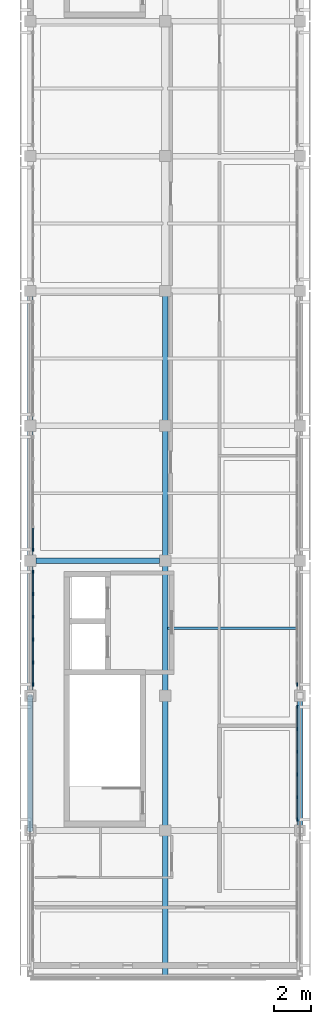
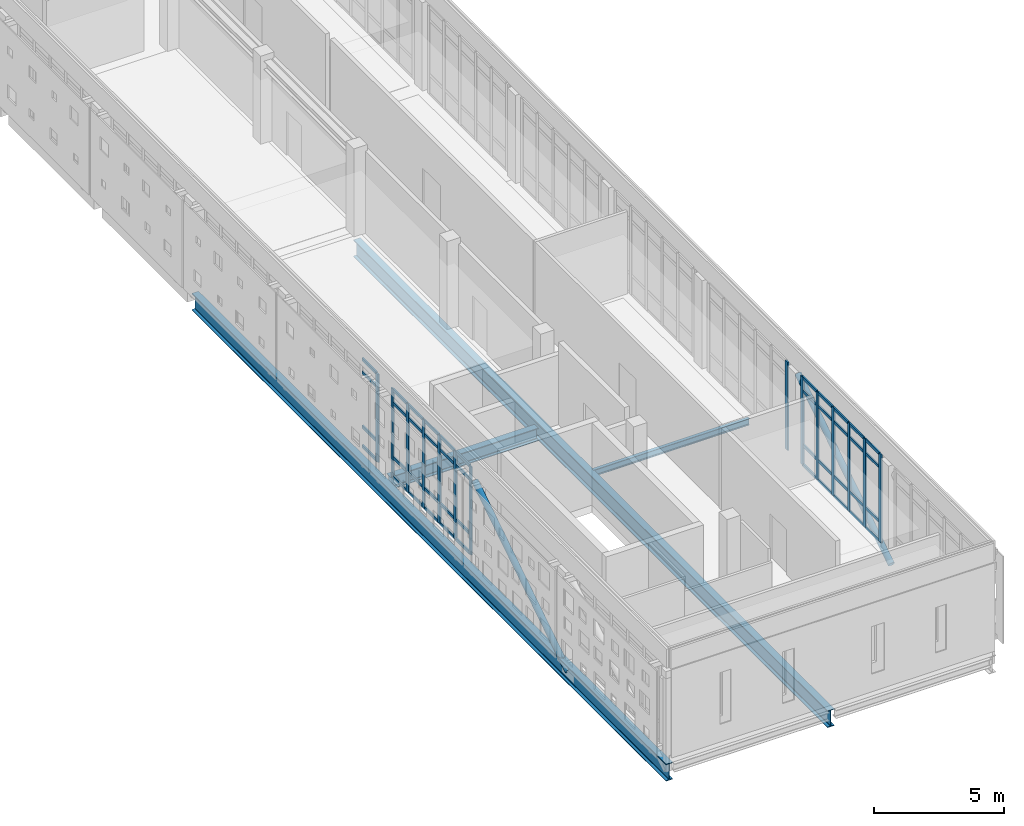
# One storey, part 3 of 19: 60 members, 4 beams, 4 elements without a shape of their own.
"""IFC4 building model written with IfcOpenShell, lengths in metres."""

from ifc_helpers import new_model, si_unit, direction, frame, origin, origin_2d, place, context, subcontext, project, spatial, rectangle, hollow_circle, i_section, extrude, material, layer, layer_set, material_profile, profile_set, type_object, element, aggregate, save


model = new_model("IFC4")

# Units and contexts
model_context = context("Model", 3, precision=1e-05, world=origin(), true_north=direction((0.0, 1.0)))
body_context = subcontext(model_context, "Body", "Model", "MODEL_VIEW")
ifc_project = project(units=[si_unit("LENGTHUNIT", "METRE"), si_unit("AREAUNIT", "SQUARE_METRE"), si_unit("VOLUMEUNIT", "CUBIC_METRE"), si_unit("PLANEANGLEUNIT", "RADIAN"), si_unit("MASSUNIT", "GRAM", prefix="KILO")], contexts=[model_context])

# Site, building, storey
site_placement = place(None, origin())
site = spatial("IfcSite", under=ifc_project, at=site_placement, CompositionType="ELEMENT")
building_placement = place(site_placement, origin())
building = spatial("IfcBuilding", under=site, at=building_placement, Name="Valkovuoma Quantum and Materials Research Institute", CompositionType="ELEMENT")
storey_placement = place(building_placement, frame((0.0, 0.0, 38.080078125)))
storey = spatial("IfcBuildingStorey", under=building, at=storey_placement, Name="L09", CompositionType="ELEMENT", Elevation=38.080078125)

# Beams
ifc_material_1 = material(Name="Steel S355J2", Category="steel")
ifc_material_profile_1 = material_profile(ifc_material_1, i_section(OverallWidth=0.300048828125, OverallDepth=0.60009765625, WebThickness=0.015380859375, FlangeThickness=0.030029296875, FilletRadius=0.027099609375, at=origin_2d()), Name="Steel S355J2")
ifc_profile_set_1 = profile_set([ifc_material_profile_1], Name="Steel S355J2")
beam_type_1 = type_object("IfcBeamType", Name="Beam-B-HEB600", PredefinedType="BEAM", material=ifc_profile_set_1)
beam_1_placement = place(storey_placement, frame((0.300048828125, 43.199951171875, -0.650146484375), z_axis=(1.0, 0.0, 0.0), x_axis=(0.0, 1.0, 0.0)))
element("IfcBeam", 1, at=beam_1_placement, inside=storey, type_object=beam_type_1, Name="L09 beam X-2574", PredefinedType="BEAM", context=body_context, shape_type="SweptSolid", body=[
    extrude(i_section(OverallWidth=0.300048828125, OverallDepth=0.60009765625, WebThickness=0.015380859375, FlangeThickness=0.030029296875, FilletRadius=0.027099609375, at=origin_2d()), origin(), (0.0, 0.0, 1.0), 6.599853515625),
])
ifc_material_2 = material(Name="Steel S355J2", Category="steel")
ifc_material_profile_2 = material_profile(ifc_material_2, i_section(OverallWidth=0.300048828125, OverallDepth=0.800048828125, WebThickness=0.017578125, FlangeThickness=0.032958984375, FilletRadius=0.030029296875, at=origin_2d()), Name="Steel S355J2")
ifc_profile_set_2 = profile_set([ifc_material_profile_2], Name="Steel S355J2")
beam_type_2 = type_object("IfcBeamType", Name="Beam-B-HEB800", PredefinedType="BEAM", material=ifc_profile_set_2)
for number, where, z_axis, x_axis, name in (
    (2, (0.0, 21.0, -0.75), (0.0, 1.0, 0.0), (-1.0, 0.0, 0.0), "L09 cantilever girder X0"),
    (3, (7.199951171875, 21.0, -0.75), (0.0, 1.0, 0.0), (-1.0, 0.0, 0.0), "L09 cantilever girder X1"),
):
    element("IfcBeam", number, at=place(storey_placement, frame(where, z_axis=z_axis, x_axis=x_axis)), inside=storey, type_object=beam_type_2, Name=name, PredefinedType="BEAM", context=body_context, shape_type="SweptSolid", body=[
        extrude(i_section(OverallWidth=0.300048828125, OverallDepth=0.800048828125, WebThickness=0.017578125, FlangeThickness=0.032958984375, FilletRadius=0.030029296875, at=origin_2d()), origin(), (0.0, 0.0, 1.0), 36.60009765625),
    ])
ifc_material_3 = material(Name="Steel S355J2", Category="steel")
ifc_material_profile_3 = material_profile(ifc_material_3, i_section(OverallWidth=0.14990234375, OverallDepth=0.300048828125, WebThickness=0.007080078125, FlangeThickness=0.0107421875, FilletRadius=0.014892578125, at=origin_2d()), Name="Steel S355J2")
ifc_profile_set_3 = profile_set([ifc_material_profile_3], Name="Steel S355J2")
beam_type_3 = type_object("IfcBeamType", Name="Beam-B-JST300", PredefinedType="JOIST", material=ifc_profile_set_3)
beam_2_placement = place(storey_placement, frame((7.320068359375, 39.60009765625, -0.5), z_axis=(1.0, 0.0, 0.0), x_axis=(0.0, 1.0, 0.0)))
element("IfcBeam", 4, at=beam_2_placement, inside=storey, type_object=beam_type_3, Name="L09 floor joist 2601", PredefinedType="JOIST", context=body_context, shape_type="SweptSolid", body=[
    extrude(i_section(OverallWidth=0.14990234375, OverallDepth=0.300048828125, WebThickness=0.007080078125, FlangeThickness=0.0107421875, FilletRadius=0.014892578125, at=origin_2d()), origin(), (0.0, 0.0, 1.0), 6.9599609375),
])

# Curtain wall, members
ifc_material_4 = material(Name="Thermally broken aluminium and triple low-E glazing", Category="aluminium")
ifc_layer = layer(ifc_material_4, 0.219970703125)
ifc_layer_set = layer_set([ifc_layer], Name="Thermally broken aluminium and triple low-E glazing")
curtain_wall_type = type_object("IfcCurtainWallType", Name="CW-CW-01", PredefinedType="NOTDEFINED", material=ifc_layer_set)
curtain_wall_1_placement = place(storey_placement, origin())
curtain_wall_1 = element("IfcCurtainWall", 5, at=curtain_wall_1_placement, inside=storey, type_object=curtain_wall_type, Name="L09 curtain wall 129", PredefinedType="NOTDEFINED")
ifc_material_5 = material(Name="Anodised aluminium 6060-T66", Category="aluminium")
ifc_material_profile_4 = material_profile(ifc_material_5, rectangle(XDim=0.06494140625, YDim=0.179931640625, at=origin_2d()), Name="Anodised aluminium 6060-T66")
ifc_profile_set_4 = profile_set([ifc_material_profile_4], Name="Anodised aluminium 6060-T66")
member_type_1 = type_object("IfcMemberType", Name="CWMull-CWM-01", PredefinedType="MULLION", material=ifc_profile_set_4)
member_1_placement = place(storey_placement, frame((14.25, 29.3896484375, 0.0), z_axis=(0.0, 0.0, 1.0), x_axis=(-1.0, 0.0, 0.0)))
member_1 = element("IfcMember", 6, at=member_1_placement, type_object=member_type_1, Name="CW-01 mullion 1", PredefinedType="MULLION", context=body_context, shape_type="SweptSolid", body=[
    extrude(rectangle(XDim=0.06494140625, YDim=0.179931640625, at=origin_2d()), origin(), (0.0, 0.0, 1.0), 4.159912109375),
])
member_2_placement = place(storey_placement, frame((14.25, 30.57421875, 0.0), z_axis=(0.0, 0.0, 1.0), x_axis=(-1.0, 0.0, 0.0)))
member_2 = element("IfcMember", 7, at=member_2_placement, type_object=member_type_1, Name="CW-01 mullion 2", PredefinedType="MULLION", context=body_context, shape_type="SweptSolid", body=[
    extrude(rectangle(XDim=0.06494140625, YDim=0.179931640625, at=origin_2d()), origin(), (0.0, 0.0, 1.0), 4.159912109375),
])
member_3_placement = place(storey_placement, frame((14.25, 31.79150390625, 0.0), z_axis=(0.0, 0.0, 1.0), x_axis=(-1.0, 0.0, 0.0)))
member_3 = element("IfcMember", 8, at=member_3_placement, type_object=member_type_1, Name="CW-01 mullion 3", PredefinedType="MULLION", context=body_context, shape_type="SweptSolid", body=[
    extrude(rectangle(XDim=0.06494140625, YDim=0.179931640625, at=origin_2d()), origin(), (0.0, 0.0, 1.0), 4.159912109375),
])
member_4_placement = place(storey_placement, frame((14.25, 33.008544921875, 0.0), z_axis=(0.0, 0.0, 1.0), x_axis=(-1.0, 0.0, 0.0)))
member_4 = element("IfcMember", 9, at=member_4_placement, type_object=member_type_1, Name="CW-01 mullion 4", PredefinedType="MULLION", context=body_context, shape_type="SweptSolid", body=[
    extrude(rectangle(XDim=0.06494140625, YDim=0.179931640625, at=origin_2d()), origin(), (0.0, 0.0, 1.0), 4.159912109375),
])
member_5_placement = place(storey_placement, frame((14.25, 34.225830078125, 0.0), z_axis=(0.0, 0.0, 1.0), x_axis=(-1.0, 0.0, 0.0)))
member_5 = element("IfcMember", 10, at=member_5_placement, type_object=member_type_1, Name="CW-01 mullion 5", PredefinedType="MULLION", context=body_context, shape_type="SweptSolid", body=[
    extrude(rectangle(XDim=0.06494140625, YDim=0.179931640625, at=origin_2d()), origin(), (0.0, 0.0, 1.0), 4.159912109375),
])
member_6_placement = place(storey_placement, frame((14.25, 35.410400390625, 0.0), z_axis=(0.0, 0.0, 1.0), x_axis=(-1.0, 0.0, 0.0)))
member_6 = element("IfcMember", 11, at=member_6_placement, type_object=member_type_1, Name="CW-01 mullion 6", PredefinedType="MULLION", context=body_context, shape_type="SweptSolid", body=[
    extrude(rectangle(XDim=0.06494140625, YDim=0.179931640625, at=origin_2d()), origin(), (0.0, 0.0, 1.0), 4.159912109375),
])

curtain_wall_2_placement = place(storey_placement, origin())
curtain_wall_2 = element("IfcCurtainWall", 12, at=curtain_wall_2_placement, inside=storey, type_object=curtain_wall_type, Name="L09 curtain wall 130", PredefinedType="NOTDEFINED")
member_7_placement = place(storey_placement, frame((0.14990234375, 36.589599609375, 0.0), z_axis=(0.0, 0.0, 1.0), x_axis=(-1.0, 0.0, 0.0)))
member_7 = element("IfcMember", 13, at=member_7_placement, type_object=member_type_1, Name="CW-01 mullion 1", PredefinedType="MULLION", context=body_context, shape_type="SweptSolid", body=[
    extrude(rectangle(XDim=0.06494140625, YDim=0.179931640625, at=origin_2d()), origin(), (0.0, 0.0, 1.0), 4.159912109375),
])
member_8_placement = place(storey_placement, frame((0.14990234375, 37.774169921875, 0.0), z_axis=(0.0, 0.0, 1.0), x_axis=(-1.0, 0.0, 0.0)))
member_8 = element("IfcMember", 14, at=member_8_placement, type_object=member_type_1, Name="CW-01 mullion 2", PredefinedType="MULLION", context=body_context, shape_type="SweptSolid", body=[
    extrude(rectangle(XDim=0.06494140625, YDim=0.179931640625, at=origin_2d()), origin(), (0.0, 0.0, 1.0), 4.159912109375),
])
member_9_placement = place(storey_placement, frame((0.14990234375, 38.991455078125, 0.0), z_axis=(0.0, 0.0, 1.0), x_axis=(-1.0, 0.0, 0.0)))
member_9 = element("IfcMember", 15, at=member_9_placement, type_object=member_type_1, Name="CW-01 mullion 3", PredefinedType="MULLION", context=body_context, shape_type="SweptSolid", body=[
    extrude(rectangle(XDim=0.06494140625, YDim=0.179931640625, at=origin_2d()), origin(), (0.0, 0.0, 1.0), 4.159912109375),
])
member_10_placement = place(storey_placement, frame((0.14990234375, 40.20849609375, 0.0), z_axis=(0.0, 0.0, 1.0), x_axis=(-1.0, 0.0, 0.0)))
member_10 = element("IfcMember", 16, at=member_10_placement, type_object=member_type_1, Name="CW-01 mullion 4", PredefinedType="MULLION", context=body_context, shape_type="SweptSolid", body=[
    extrude(rectangle(XDim=0.06494140625, YDim=0.179931640625, at=origin_2d()), origin(), (0.0, 0.0, 1.0), 4.159912109375),
])
member_11_placement = place(storey_placement, frame((0.14990234375, 41.42578125, 0.0), z_axis=(0.0, 0.0, 1.0), x_axis=(-1.0, 0.0, 0.0)))
member_11 = element("IfcMember", 17, at=member_11_placement, type_object=member_type_1, Name="CW-01 mullion 5", PredefinedType="MULLION", context=body_context, shape_type="SweptSolid", body=[
    extrude(rectangle(XDim=0.06494140625, YDim=0.179931640625, at=origin_2d()), origin(), (0.0, 0.0, 1.0), 4.159912109375),
])
member_12_placement = place(storey_placement, frame((0.14990234375, 42.6103515625, 0.0), z_axis=(0.0, 0.0, 1.0), x_axis=(-1.0, 0.0, 0.0)))
member_12 = element("IfcMember", 18, at=member_12_placement, type_object=member_type_1, Name="CW-01 mullion 6", PredefinedType="MULLION", context=body_context, shape_type="SweptSolid", body=[
    extrude(rectangle(XDim=0.06494140625, YDim=0.179931640625, at=origin_2d()), origin(), (0.0, 0.0, 1.0), 4.159912109375),
])

# Curtain wall, member
curtain_wall_3_placement = place(storey_placement, origin())
curtain_wall_3 = element("IfcCurtainWall", 19, at=curtain_wall_3_placement, inside=storey, type_object=curtain_wall_type, Name="L09 curtain wall 131", PredefinedType="NOTDEFINED")
member_13_placement = place(storey_placement, frame((14.25, 36.589599609375, 0.0), z_axis=(0.0, 0.0, 1.0), x_axis=(-1.0, 0.0, 0.0)))
member_13 = element("IfcMember", 20, at=member_13_placement, type_object=member_type_1, Name="CW-01 mullion 1", PredefinedType="MULLION", context=body_context, shape_type="SweptSolid", body=[
    extrude(rectangle(XDim=0.06494140625, YDim=0.179931640625, at=origin_2d()), origin(), (0.0, 0.0, 1.0), 4.159912109375),
])
aggregate(curtain_wall_3, [member_13])

curtain_wall_4_placement = place(storey_placement, origin())
curtain_wall_4 = element("IfcCurtainWall", 21, at=curtain_wall_4_placement, inside=storey, type_object=curtain_wall_type, Name="L09 curtain wall 132", PredefinedType="NOTDEFINED")
member_14_placement = place(storey_placement, frame((0.14990234375, 43.78955078125, 0.0), z_axis=(0.0, 0.0, 1.0), x_axis=(-1.0, 0.0, 0.0)))
member_14 = element("IfcMember", 22, at=member_14_placement, type_object=member_type_1, Name="CW-01 mullion 1", PredefinedType="MULLION", context=body_context, shape_type="SweptSolid", body=[
    extrude(rectangle(XDim=0.06494140625, YDim=0.179931640625, at=origin_2d()), origin(), (0.0, 0.0, 1.0), 4.159912109375),
])

# Member
ifc_material_6 = material(Name="Anodised aluminium 6060-T66", Category="aluminium")
ifc_material_profile_5 = material_profile(ifc_material_6, rectangle(XDim=0.06494140625, YDim=0.139892578125, at=origin_2d()), Name="Anodised aluminium 6060-T66")
ifc_profile_set_5 = profile_set([ifc_material_profile_5], Name="Anodised aluminium 6060-T66")
member_type_2 = type_object("IfcMemberType", Name="CWTran-CWT-01", PredefinedType="USERDEFINED", material=ifc_profile_set_5)
member_15_placement = place(storey_placement, frame((14.25, 29.422119140625, 0.032470703125), z_axis=(0.0, 1.0, 0.0), x_axis=(-1.0, 0.0, 0.0)))
member_15 = element("IfcMember", 23, at=member_15_placement, type_object=member_type_2, Name="CW-01 transom 1.1", ObjectType="TRANSOM", PredefinedType="USERDEFINED", context=body_context, shape_type="SweptSolid", body=[
    extrude(rectangle(XDim=0.06494140625, YDim=0.139892578125, at=origin_2d()), origin(), (0.0, 0.0, 1.0), 1.11962890625),
])

member_16_placement = place(storey_placement, frame((14.25, 29.422119140625, 0.949951171875), z_axis=(0.0, 1.0, 0.0), x_axis=(-1.0, 0.0, 0.0)))
member_16 = element("IfcMember", 24, at=member_16_placement, type_object=member_type_2, Name="CW-01 transom 1.2", ObjectType="TRANSOM", PredefinedType="USERDEFINED", context=body_context, shape_type="SweptSolid", body=[
    extrude(rectangle(XDim=0.06494140625, YDim=0.139892578125, at=origin_2d()), origin(), (0.0, 0.0, 1.0), 1.11962890625),
])

member_17_placement = place(storey_placement, frame((14.25, 29.422119140625, 3.510009765625), z_axis=(0.0, 1.0, 0.0), x_axis=(-1.0, 0.0, 0.0)))
member_17 = element("IfcMember", 25, at=member_17_placement, type_object=member_type_2, Name="CW-01 transom 1.3", ObjectType="TRANSOM", PredefinedType="USERDEFINED", context=body_context, shape_type="SweptSolid", body=[
    extrude(rectangle(XDim=0.06494140625, YDim=0.139892578125, at=origin_2d()), origin(), (0.0, 0.0, 1.0), 1.11962890625),
])

member_18_placement = place(storey_placement, frame((14.25, 29.422119140625, 4.12744140625), z_axis=(0.0, 1.0, 0.0), x_axis=(-1.0, 0.0, 0.0)))
member_18 = element("IfcMember", 26, at=member_18_placement, type_object=member_type_2, Name="CW-01 transom 1.4", ObjectType="TRANSOM", PredefinedType="USERDEFINED", context=body_context, shape_type="SweptSolid", body=[
    extrude(rectangle(XDim=0.06494140625, YDim=0.139892578125, at=origin_2d()), origin(), (0.0, 0.0, 1.0), 1.11962890625),
])

member_19_placement = place(storey_placement, frame((14.25, 30.606689453125, 0.032470703125), z_axis=(0.0, 1.0, 0.0), x_axis=(-1.0, 0.0, 0.0)))
member_19 = element("IfcMember", 27, at=member_19_placement, type_object=member_type_2, Name="CW-01 transom 2.1", ObjectType="TRANSOM", PredefinedType="USERDEFINED", context=body_context, shape_type="SweptSolid", body=[
    extrude(rectangle(XDim=0.06494140625, YDim=0.139892578125, at=origin_2d()), origin(), (0.0, 0.0, 1.0), 1.15234375),
])

member_20_placement = place(storey_placement, frame((14.25, 30.606689453125, 0.949951171875), z_axis=(0.0, 1.0, 0.0), x_axis=(-1.0, 0.0, 0.0)))
member_20 = element("IfcMember", 28, at=member_20_placement, type_object=member_type_2, Name="CW-01 transom 2.2", ObjectType="TRANSOM", PredefinedType="USERDEFINED", context=body_context, shape_type="SweptSolid", body=[
    extrude(rectangle(XDim=0.06494140625, YDim=0.139892578125, at=origin_2d()), origin(), (0.0, 0.0, 1.0), 1.15234375),
])

member_21_placement = place(storey_placement, frame((14.25, 30.606689453125, 3.510009765625), z_axis=(0.0, 1.0, 0.0), x_axis=(-1.0, 0.0, 0.0)))
member_21 = element("IfcMember", 29, at=member_21_placement, type_object=member_type_2, Name="CW-01 transom 2.3", ObjectType="TRANSOM", PredefinedType="USERDEFINED", context=body_context, shape_type="SweptSolid", body=[
    extrude(rectangle(XDim=0.06494140625, YDim=0.139892578125, at=origin_2d()), origin(), (0.0, 0.0, 1.0), 1.15234375),
])

member_22_placement = place(storey_placement, frame((14.25, 30.606689453125, 4.12744140625), z_axis=(0.0, 1.0, 0.0), x_axis=(-1.0, 0.0, 0.0)))
member_22 = element("IfcMember", 30, at=member_22_placement, type_object=member_type_2, Name="CW-01 transom 2.4", ObjectType="TRANSOM", PredefinedType="USERDEFINED", context=body_context, shape_type="SweptSolid", body=[
    extrude(rectangle(XDim=0.06494140625, YDim=0.139892578125, at=origin_2d()), origin(), (0.0, 0.0, 1.0), 1.15234375),
])

member_23_placement = place(storey_placement, frame((14.25, 31.823974609375, 0.032470703125), z_axis=(0.0, 1.0, 0.0), x_axis=(-1.0, 0.0, 0.0)))
member_23 = element("IfcMember", 31, at=member_23_placement, type_object=member_type_2, Name="CW-01 transom 3.1", ObjectType="TRANSOM", PredefinedType="USERDEFINED", context=body_context, shape_type="SweptSolid", body=[
    extrude(rectangle(XDim=0.06494140625, YDim=0.139892578125, at=origin_2d()), origin(), (0.0, 0.0, 1.0), 1.152099609375),
])

member_24_placement = place(storey_placement, frame((14.25, 31.823974609375, 0.949951171875), z_axis=(0.0, 1.0, 0.0), x_axis=(-1.0, 0.0, 0.0)))
member_24 = element("IfcMember", 32, at=member_24_placement, type_object=member_type_2, Name="CW-01 transom 3.2", ObjectType="TRANSOM", PredefinedType="USERDEFINED", context=body_context, shape_type="SweptSolid", body=[
    extrude(rectangle(XDim=0.06494140625, YDim=0.139892578125, at=origin_2d()), origin(), (0.0, 0.0, 1.0), 1.152099609375),
])

member_25_placement = place(storey_placement, frame((14.25, 31.823974609375, 3.510009765625), z_axis=(0.0, 1.0, 0.0), x_axis=(-1.0, 0.0, 0.0)))
member_25 = element("IfcMember", 33, at=member_25_placement, type_object=member_type_2, Name="CW-01 transom 3.3", ObjectType="TRANSOM", PredefinedType="USERDEFINED", context=body_context, shape_type="SweptSolid", body=[
    extrude(rectangle(XDim=0.06494140625, YDim=0.139892578125, at=origin_2d()), origin(), (0.0, 0.0, 1.0), 1.152099609375),
])

member_26_placement = place(storey_placement, frame((14.25, 31.823974609375, 4.12744140625), z_axis=(0.0, 1.0, 0.0), x_axis=(-1.0, 0.0, 0.0)))
member_26 = element("IfcMember", 34, at=member_26_placement, type_object=member_type_2, Name="CW-01 transom 3.4", ObjectType="TRANSOM", PredefinedType="USERDEFINED", context=body_context, shape_type="SweptSolid", body=[
    extrude(rectangle(XDim=0.06494140625, YDim=0.139892578125, at=origin_2d()), origin(), (0.0, 0.0, 1.0), 1.152099609375),
])

member_27_placement = place(storey_placement, frame((14.25, 33.041015625, 0.032470703125), z_axis=(0.0, 1.0, 0.0), x_axis=(-1.0, 0.0, 0.0)))
member_27 = element("IfcMember", 35, at=member_27_placement, type_object=member_type_2, Name="CW-01 transom 4.1", ObjectType="TRANSOM", PredefinedType="USERDEFINED", context=body_context, shape_type="SweptSolid", body=[
    extrude(rectangle(XDim=0.06494140625, YDim=0.139892578125, at=origin_2d()), origin(), (0.0, 0.0, 1.0), 1.15234375),
])

member_28_placement = place(storey_placement, frame((14.25, 33.041015625, 0.949951171875), z_axis=(0.0, 1.0, 0.0), x_axis=(-1.0, 0.0, 0.0)))
member_28 = element("IfcMember", 36, at=member_28_placement, type_object=member_type_2, Name="CW-01 transom 4.2", ObjectType="TRANSOM", PredefinedType="USERDEFINED", context=body_context, shape_type="SweptSolid", body=[
    extrude(rectangle(XDim=0.06494140625, YDim=0.139892578125, at=origin_2d()), origin(), (0.0, 0.0, 1.0), 1.15234375),
])

member_29_placement = place(storey_placement, frame((14.25, 33.041015625, 3.510009765625), z_axis=(0.0, 1.0, 0.0), x_axis=(-1.0, 0.0, 0.0)))
member_29 = element("IfcMember", 37, at=member_29_placement, type_object=member_type_2, Name="CW-01 transom 4.3", ObjectType="TRANSOM", PredefinedType="USERDEFINED", context=body_context, shape_type="SweptSolid", body=[
    extrude(rectangle(XDim=0.06494140625, YDim=0.139892578125, at=origin_2d()), origin(), (0.0, 0.0, 1.0), 1.15234375),
])

member_30_placement = place(storey_placement, frame((14.25, 33.041015625, 4.12744140625), z_axis=(0.0, 1.0, 0.0), x_axis=(-1.0, 0.0, 0.0)))
member_30 = element("IfcMember", 38, at=member_30_placement, type_object=member_type_2, Name="CW-01 transom 4.4", ObjectType="TRANSOM", PredefinedType="USERDEFINED", context=body_context, shape_type="SweptSolid", body=[
    extrude(rectangle(XDim=0.06494140625, YDim=0.139892578125, at=origin_2d()), origin(), (0.0, 0.0, 1.0), 1.15234375),
])

member_31_placement = place(storey_placement, frame((14.25, 34.25830078125, 0.032470703125), z_axis=(0.0, 1.0, 0.0), x_axis=(-1.0, 0.0, 0.0)))
member_31 = element("IfcMember", 39, at=member_31_placement, type_object=member_type_2, Name="CW-01 transom 5.1", ObjectType="TRANSOM", PredefinedType="USERDEFINED", context=body_context, shape_type="SweptSolid", body=[
    extrude(rectangle(XDim=0.06494140625, YDim=0.139892578125, at=origin_2d()), origin(), (0.0, 0.0, 1.0), 1.11962890625),
])

member_32_placement = place(storey_placement, frame((14.25, 34.25830078125, 0.949951171875), z_axis=(0.0, 1.0, 0.0), x_axis=(-1.0, 0.0, 0.0)))
member_32 = element("IfcMember", 40, at=member_32_placement, type_object=member_type_2, Name="CW-01 transom 5.2", ObjectType="TRANSOM", PredefinedType="USERDEFINED", context=body_context, shape_type="SweptSolid", body=[
    extrude(rectangle(XDim=0.06494140625, YDim=0.139892578125, at=origin_2d()), origin(), (0.0, 0.0, 1.0), 1.11962890625),
])

member_33_placement = place(storey_placement, frame((14.25, 34.25830078125, 3.510009765625), z_axis=(0.0, 1.0, 0.0), x_axis=(-1.0, 0.0, 0.0)))
member_33 = element("IfcMember", 41, at=member_33_placement, type_object=member_type_2, Name="CW-01 transom 5.3", ObjectType="TRANSOM", PredefinedType="USERDEFINED", context=body_context, shape_type="SweptSolid", body=[
    extrude(rectangle(XDim=0.06494140625, YDim=0.139892578125, at=origin_2d()), origin(), (0.0, 0.0, 1.0), 1.11962890625),
])

member_34_placement = place(storey_placement, frame((14.25, 34.25830078125, 4.12744140625), z_axis=(0.0, 1.0, 0.0), x_axis=(-1.0, 0.0, 0.0)))
member_34 = element("IfcMember", 42, at=member_34_placement, type_object=member_type_2, Name="CW-01 transom 5.4", ObjectType="TRANSOM", PredefinedType="USERDEFINED", context=body_context, shape_type="SweptSolid", body=[
    extrude(rectangle(XDim=0.06494140625, YDim=0.139892578125, at=origin_2d()), origin(), (0.0, 0.0, 1.0), 1.11962890625),
])

aggregate(curtain_wall_1, [member_1, member_2, member_3, member_4, member_5, member_6, member_15, member_16, member_17, member_18, member_19, member_20, member_21, member_22, member_23, member_24, member_25, member_26, member_27, member_28, member_29, member_30, member_31, member_32, member_33, member_34])

member_35_placement = place(storey_placement, frame((0.14990234375, 36.6220703125, 0.032470703125), z_axis=(0.0, 1.0, 0.0), x_axis=(-1.0, 0.0, 0.0)))
member_35 = element("IfcMember", 43, at=member_35_placement, type_object=member_type_2, Name="CW-01 transom 1.1", ObjectType="TRANSOM", PredefinedType="USERDEFINED", context=body_context, shape_type="SweptSolid", body=[
    extrude(rectangle(XDim=0.06494140625, YDim=0.139892578125, at=origin_2d()), origin(), (0.0, 0.0, 1.0), 1.11962890625),
])

member_36_placement = place(storey_placement, frame((0.14990234375, 36.6220703125, 0.949951171875), z_axis=(0.0, 1.0, 0.0), x_axis=(-1.0, 0.0, 0.0)))
member_36 = element("IfcMember", 44, at=member_36_placement, type_object=member_type_2, Name="CW-01 transom 1.2", ObjectType="TRANSOM", PredefinedType="USERDEFINED", context=body_context, shape_type="SweptSolid", body=[
    extrude(rectangle(XDim=0.06494140625, YDim=0.139892578125, at=origin_2d()), origin(), (0.0, 0.0, 1.0), 1.11962890625),
])

member_37_placement = place(storey_placement, frame((0.14990234375, 36.6220703125, 3.510009765625), z_axis=(0.0, 1.0, 0.0), x_axis=(-1.0, 0.0, 0.0)))
member_37 = element("IfcMember", 45, at=member_37_placement, type_object=member_type_2, Name="CW-01 transom 1.3", ObjectType="TRANSOM", PredefinedType="USERDEFINED", context=body_context, shape_type="SweptSolid", body=[
    extrude(rectangle(XDim=0.06494140625, YDim=0.139892578125, at=origin_2d()), origin(), (0.0, 0.0, 1.0), 1.11962890625),
])

member_38_placement = place(storey_placement, frame((0.14990234375, 36.6220703125, 4.12744140625), z_axis=(0.0, 1.0, 0.0), x_axis=(-1.0, 0.0, 0.0)))
member_38 = element("IfcMember", 46, at=member_38_placement, type_object=member_type_2, Name="CW-01 transom 1.4", ObjectType="TRANSOM", PredefinedType="USERDEFINED", context=body_context, shape_type="SweptSolid", body=[
    extrude(rectangle(XDim=0.06494140625, YDim=0.139892578125, at=origin_2d()), origin(), (0.0, 0.0, 1.0), 1.11962890625),
])

member_39_placement = place(storey_placement, frame((0.14990234375, 37.806640625, 0.032470703125), z_axis=(0.0, 1.0, 0.0), x_axis=(-1.0, 0.0, 0.0)))
member_39 = element("IfcMember", 47, at=member_39_placement, type_object=member_type_2, Name="CW-01 transom 2.1", ObjectType="TRANSOM", PredefinedType="USERDEFINED", context=body_context, shape_type="SweptSolid", body=[
    extrude(rectangle(XDim=0.06494140625, YDim=0.139892578125, at=origin_2d()), origin(), (0.0, 0.0, 1.0), 1.15234375),
])

member_40_placement = place(storey_placement, frame((0.14990234375, 37.806640625, 0.949951171875), z_axis=(0.0, 1.0, 0.0), x_axis=(-1.0, 0.0, 0.0)))
member_40 = element("IfcMember", 48, at=member_40_placement, type_object=member_type_2, Name="CW-01 transom 2.2", ObjectType="TRANSOM", PredefinedType="USERDEFINED", context=body_context, shape_type="SweptSolid", body=[
    extrude(rectangle(XDim=0.06494140625, YDim=0.139892578125, at=origin_2d()), origin(), (0.0, 0.0, 1.0), 1.15234375),
])

member_41_placement = place(storey_placement, frame((0.14990234375, 37.806640625, 3.510009765625), z_axis=(0.0, 1.0, 0.0), x_axis=(-1.0, 0.0, 0.0)))
member_41 = element("IfcMember", 49, at=member_41_placement, type_object=member_type_2, Name="CW-01 transom 2.3", ObjectType="TRANSOM", PredefinedType="USERDEFINED", context=body_context, shape_type="SweptSolid", body=[
    extrude(rectangle(XDim=0.06494140625, YDim=0.139892578125, at=origin_2d()), origin(), (0.0, 0.0, 1.0), 1.15234375),
])

member_42_placement = place(storey_placement, frame((0.14990234375, 37.806640625, 4.12744140625), z_axis=(0.0, 1.0, 0.0), x_axis=(-1.0, 0.0, 0.0)))
member_42 = element("IfcMember", 50, at=member_42_placement, type_object=member_type_2, Name="CW-01 transom 2.4", ObjectType="TRANSOM", PredefinedType="USERDEFINED", context=body_context, shape_type="SweptSolid", body=[
    extrude(rectangle(XDim=0.06494140625, YDim=0.139892578125, at=origin_2d()), origin(), (0.0, 0.0, 1.0), 1.15234375),
])

member_43_placement = place(storey_placement, frame((0.14990234375, 39.02392578125, 0.032470703125), z_axis=(0.0, 1.0, 0.0), x_axis=(-1.0, 0.0, 0.0)))
member_43 = element("IfcMember", 51, at=member_43_placement, type_object=member_type_2, Name="CW-01 transom 3.1", ObjectType="TRANSOM", PredefinedType="USERDEFINED", context=body_context, shape_type="SweptSolid", body=[
    extrude(rectangle(XDim=0.06494140625, YDim=0.139892578125, at=origin_2d()), origin(), (0.0, 0.0, 1.0), 1.152099609375),
])

member_44_placement = place(storey_placement, frame((0.14990234375, 39.02392578125, 0.949951171875), z_axis=(0.0, 1.0, 0.0), x_axis=(-1.0, 0.0, 0.0)))
member_44 = element("IfcMember", 52, at=member_44_placement, type_object=member_type_2, Name="CW-01 transom 3.2", ObjectType="TRANSOM", PredefinedType="USERDEFINED", context=body_context, shape_type="SweptSolid", body=[
    extrude(rectangle(XDim=0.06494140625, YDim=0.139892578125, at=origin_2d()), origin(), (0.0, 0.0, 1.0), 1.152099609375),
])

member_45_placement = place(storey_placement, frame((0.14990234375, 39.02392578125, 3.510009765625), z_axis=(0.0, 1.0, 0.0), x_axis=(-1.0, 0.0, 0.0)))
member_45 = element("IfcMember", 53, at=member_45_placement, type_object=member_type_2, Name="CW-01 transom 3.3", ObjectType="TRANSOM", PredefinedType="USERDEFINED", context=body_context, shape_type="SweptSolid", body=[
    extrude(rectangle(XDim=0.06494140625, YDim=0.139892578125, at=origin_2d()), origin(), (0.0, 0.0, 1.0), 1.152099609375),
])

member_46_placement = place(storey_placement, frame((0.14990234375, 39.02392578125, 4.12744140625), z_axis=(0.0, 1.0, 0.0), x_axis=(-1.0, 0.0, 0.0)))
member_46 = element("IfcMember", 54, at=member_46_placement, type_object=member_type_2, Name="CW-01 transom 3.4", ObjectType="TRANSOM", PredefinedType="USERDEFINED", context=body_context, shape_type="SweptSolid", body=[
    extrude(rectangle(XDim=0.06494140625, YDim=0.139892578125, at=origin_2d()), origin(), (0.0, 0.0, 1.0), 1.152099609375),
])

member_47_placement = place(storey_placement, frame((0.14990234375, 40.240966796875, 0.032470703125), z_axis=(0.0, 1.0, 0.0), x_axis=(-1.0, 0.0, 0.0)))
member_47 = element("IfcMember", 55, at=member_47_placement, type_object=member_type_2, Name="CW-01 transom 4.1", ObjectType="TRANSOM", PredefinedType="USERDEFINED", context=body_context, shape_type="SweptSolid", body=[
    extrude(rectangle(XDim=0.06494140625, YDim=0.139892578125, at=origin_2d()), origin(), (0.0, 0.0, 1.0), 1.15234375),
])

member_48_placement = place(storey_placement, frame((0.14990234375, 40.240966796875, 0.949951171875), z_axis=(0.0, 1.0, 0.0), x_axis=(-1.0, 0.0, 0.0)))
member_48 = element("IfcMember", 56, at=member_48_placement, type_object=member_type_2, Name="CW-01 transom 4.2", ObjectType="TRANSOM", PredefinedType="USERDEFINED", context=body_context, shape_type="SweptSolid", body=[
    extrude(rectangle(XDim=0.06494140625, YDim=0.139892578125, at=origin_2d()), origin(), (0.0, 0.0, 1.0), 1.15234375),
])

member_49_placement = place(storey_placement, frame((0.14990234375, 40.240966796875, 3.510009765625), z_axis=(0.0, 1.0, 0.0), x_axis=(-1.0, 0.0, 0.0)))
member_49 = element("IfcMember", 57, at=member_49_placement, type_object=member_type_2, Name="CW-01 transom 4.3", ObjectType="TRANSOM", PredefinedType="USERDEFINED", context=body_context, shape_type="SweptSolid", body=[
    extrude(rectangle(XDim=0.06494140625, YDim=0.139892578125, at=origin_2d()), origin(), (0.0, 0.0, 1.0), 1.15234375),
])

member_50_placement = place(storey_placement, frame((0.14990234375, 40.240966796875, 4.12744140625), z_axis=(0.0, 1.0, 0.0), x_axis=(-1.0, 0.0, 0.0)))
member_50 = element("IfcMember", 58, at=member_50_placement, type_object=member_type_2, Name="CW-01 transom 4.4", ObjectType="TRANSOM", PredefinedType="USERDEFINED", context=body_context, shape_type="SweptSolid", body=[
    extrude(rectangle(XDim=0.06494140625, YDim=0.139892578125, at=origin_2d()), origin(), (0.0, 0.0, 1.0), 1.15234375),
])

member_51_placement = place(storey_placement, frame((0.14990234375, 41.458251953125, 0.032470703125), z_axis=(0.0, 1.0, 0.0), x_axis=(-1.0, 0.0, 0.0)))
member_51 = element("IfcMember", 59, at=member_51_placement, type_object=member_type_2, Name="CW-01 transom 5.1", ObjectType="TRANSOM", PredefinedType="USERDEFINED", context=body_context, shape_type="SweptSolid", body=[
    extrude(rectangle(XDim=0.06494140625, YDim=0.139892578125, at=origin_2d()), origin(), (0.0, 0.0, 1.0), 1.11962890625),
])

member_52_placement = place(storey_placement, frame((0.14990234375, 41.458251953125, 0.949951171875), z_axis=(0.0, 1.0, 0.0), x_axis=(-1.0, 0.0, 0.0)))
member_52 = element("IfcMember", 60, at=member_52_placement, type_object=member_type_2, Name="CW-01 transom 5.2", ObjectType="TRANSOM", PredefinedType="USERDEFINED", context=body_context, shape_type="SweptSolid", body=[
    extrude(rectangle(XDim=0.06494140625, YDim=0.139892578125, at=origin_2d()), origin(), (0.0, 0.0, 1.0), 1.11962890625),
])

member_53_placement = place(storey_placement, frame((0.14990234375, 41.458251953125, 3.510009765625), z_axis=(0.0, 1.0, 0.0), x_axis=(-1.0, 0.0, 0.0)))
member_53 = element("IfcMember", 61, at=member_53_placement, type_object=member_type_2, Name="CW-01 transom 5.3", ObjectType="TRANSOM", PredefinedType="USERDEFINED", context=body_context, shape_type="SweptSolid", body=[
    extrude(rectangle(XDim=0.06494140625, YDim=0.139892578125, at=origin_2d()), origin(), (0.0, 0.0, 1.0), 1.11962890625),
])

member_54_placement = place(storey_placement, frame((0.14990234375, 41.458251953125, 4.12744140625), z_axis=(0.0, 1.0, 0.0), x_axis=(-1.0, 0.0, 0.0)))
member_54 = element("IfcMember", 62, at=member_54_placement, type_object=member_type_2, Name="CW-01 transom 5.4", ObjectType="TRANSOM", PredefinedType="USERDEFINED", context=body_context, shape_type="SweptSolid", body=[
    extrude(rectangle(XDim=0.06494140625, YDim=0.139892578125, at=origin_2d()), origin(), (0.0, 0.0, 1.0), 1.11962890625),
])

aggregate(curtain_wall_2, [member_7, member_8, member_9, member_10, member_11, member_12, member_35, member_36, member_37, member_38, member_39, member_40, member_41, member_42, member_43, member_44, member_45, member_46, member_47, member_48, member_49, member_50, member_51, member_52, member_53, member_54])

member_55_placement = place(storey_placement, frame((0.14990234375, 43.822021484375, 0.032470703125), z_axis=(0.0, 1.0, 0.0), x_axis=(-1.0, 0.0, 0.0)))
member_55 = element("IfcMember", 63, at=member_55_placement, type_object=member_type_2, Name="CW-01 transom 1.1", ObjectType="TRANSOM", PredefinedType="USERDEFINED", context=body_context, shape_type="SweptSolid", body=[
    extrude(rectangle(XDim=0.06494140625, YDim=0.139892578125, at=origin_2d()), origin(), (0.0, 0.0, 1.0), 1.11962890625),
])

member_56_placement = place(storey_placement, frame((0.14990234375, 43.822021484375, 0.949951171875), z_axis=(0.0, 1.0, 0.0), x_axis=(-1.0, 0.0, 0.0)))
member_56 = element("IfcMember", 64, at=member_56_placement, type_object=member_type_2, Name="CW-01 transom 1.2", ObjectType="TRANSOM", PredefinedType="USERDEFINED", context=body_context, shape_type="SweptSolid", body=[
    extrude(rectangle(XDim=0.06494140625, YDim=0.139892578125, at=origin_2d()), origin(), (0.0, 0.0, 1.0), 1.11962890625),
])

member_57_placement = place(storey_placement, frame((0.14990234375, 43.822021484375, 3.510009765625), z_axis=(0.0, 1.0, 0.0), x_axis=(-1.0, 0.0, 0.0)))
member_57 = element("IfcMember", 65, at=member_57_placement, type_object=member_type_2, Name="CW-01 transom 1.3", ObjectType="TRANSOM", PredefinedType="USERDEFINED", context=body_context, shape_type="SweptSolid", body=[
    extrude(rectangle(XDim=0.06494140625, YDim=0.139892578125, at=origin_2d()), origin(), (0.0, 0.0, 1.0), 1.11962890625),
])

member_58_placement = place(storey_placement, frame((0.14990234375, 43.822021484375, 4.12744140625), z_axis=(0.0, 1.0, 0.0), x_axis=(-1.0, 0.0, 0.0)))
member_58 = element("IfcMember", 66, at=member_58_placement, type_object=member_type_2, Name="CW-01 transom 1.4", ObjectType="TRANSOM", PredefinedType="USERDEFINED", context=body_context, shape_type="SweptSolid", body=[
    extrude(rectangle(XDim=0.06494140625, YDim=0.139892578125, at=origin_2d()), origin(), (0.0, 0.0, 1.0), 1.11962890625),
])

aggregate(curtain_wall_4, [member_14, member_55, member_56, member_57, member_58])

# Members
ifc_material_7 = material(Name="Steel S355J2H", Category="steel")
ifc_material_profile_6 = material_profile(ifc_material_7, hollow_circle(Radius=0.136474609375, WallThickness=0.012451171875, at=origin_2d()), Name="Steel S355J2H")
ifc_profile_set_6 = profile_set([ifc_material_profile_6], Name="Steel S355J2H")
member_type_3 = type_object("IfcMemberType", Name="Mem-M-BRC273", PredefinedType="BRACE", material=ifc_profile_set_6)
for number, where, z_axis, x_axis, name in (
    (67, (0.0, 28.800048828125, -0.75), (0.0, 0.842170772441, 0.539210895705), (-1.0, 0.0, 0.0), "L09 cantilever back-span brace 0"),
    (68, (14.39990234375, 28.800048828125, -0.75), (0.0, 0.842170772441, 0.539210895705), (-1.0, 0.0, 0.0), "L09 cantilever back-span brace 1"),
):
    element("IfcMember", number, at=place(storey_placement, frame(where, z_axis=z_axis, x_axis=x_axis)), inside=storey, type_object=member_type_3, Name=name, PredefinedType="BRACE", context=body_context, shape_type="SweptSolid", body=[
        extrude(hollow_circle(Radius=0.136474609375, WallThickness=0.012451171875, at=origin_2d()), origin(), (0.0, 0.0, 1.0), 8.54931640625),
    ])

save(model, "model.ifc")
